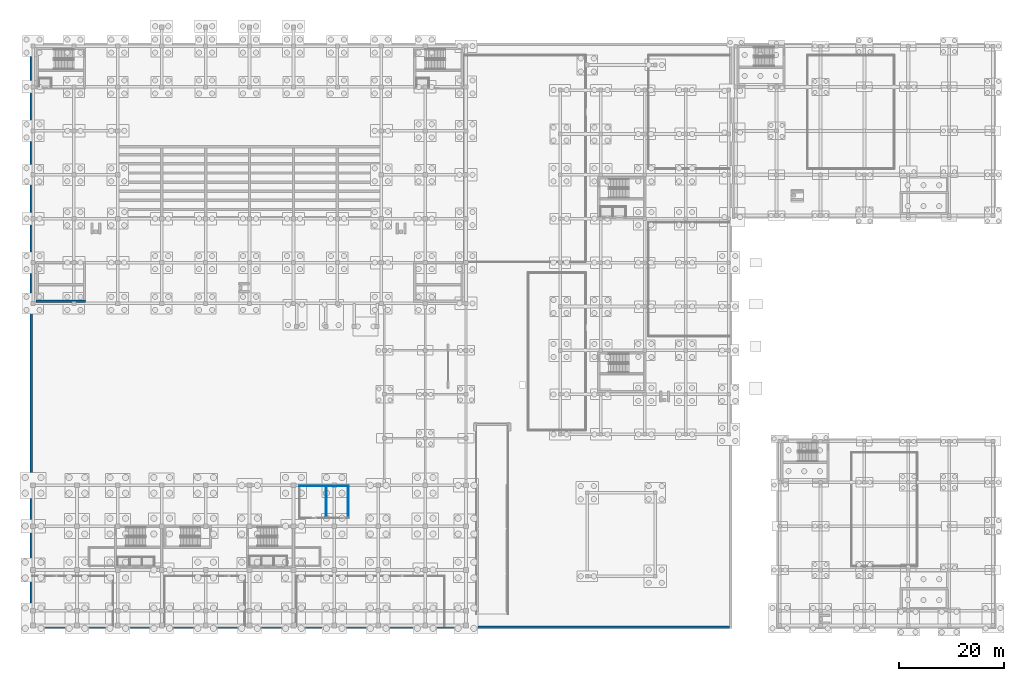
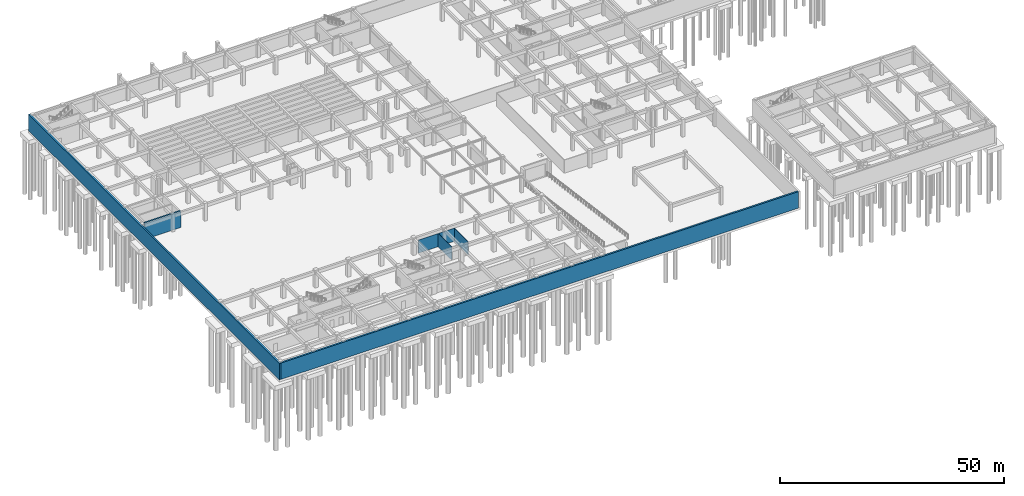
# One storey, part 17 of 35: 7 walls.
"""IFC4 building model written with IfcOpenShell, lengths in metres."""

from ifc_helpers import new_model, si_unit, direction, frame, frame_2d, origin, place, context, subcontext, project, spatial, rectangle, extrude, material, layer, layer_set, type_object, element, save


model = new_model("IFC4")

# Units and contexts
model_context = context("Model", 3, precision=1e-05, world=origin(), true_north=direction((0.0, 1.0)))
body_context = subcontext(model_context, "Body", "Model", "MODEL_VIEW")
ifc_project = project(units=[si_unit("LENGTHUNIT", "METRE"), si_unit("AREAUNIT", "SQUARE_METRE"), si_unit("VOLUMEUNIT", "CUBIC_METRE"), si_unit("PLANEANGLEUNIT", "RADIAN"), si_unit("MASSUNIT", "GRAM", prefix="KILO")], contexts=[model_context])

# Site, building, storey
site_placement = place(None, origin())
site = spatial("IfcSite", under=ifc_project, at=site_placement, CompositionType="ELEMENT")
building_placement = place(site_placement, origin())
building = spatial("IfcBuilding", under=site, at=building_placement, Name="Zayran Congress Hotel", CompositionType="ELEMENT")
storey_placement = place(building_placement, frame((0.0, 0.0, -4.800048828125)))
storey = spatial("IfcBuildingStorey", under=building, at=storey_placement, Name="B1", CompositionType="ELEMENT", Elevation=-4.800048828125)

# Walls
ifc_material_1 = material(Name="Concrete C32/40", Category="concrete")
ifc_layer_1 = layer(ifc_material_1, 0.449951171875)
ifc_layer_set_1 = layer_set([ifc_layer_1], Name="Concrete C32/40")
wall_type_1 = type_object("IfcWallType", Name="WL-RT-450", PredefinedType="USERDEFINED", material=ifc_layer_set_1)
wall_1_placement = place(storey_placement, frame((142.199951171875, 6.22509765625, 0.0), z_axis=(0.0, 0.0, 1.0), x_axis=(-1.0, 0.0, 0.0)))
element("IfcWall", 1, at=wall_1_placement, inside=storey, type_object=wall_type_1, Name="B1-RW-S", ObjectType="RETAININGWALL", PredefinedType="USERDEFINED", context=body_context, shape_type="SweptSolid", body=[
    extrude(rectangle(XDim=133.349853515625, YDim=0.449951171875, at=frame_2d((66.6748046875, 0.0))), origin(), (0.0, 0.0, 1.0), 4.47998046875),
])
wall_2_placement = place(storey_placement, frame((8.625, 6.0, 0.0), z_axis=(0.0, 0.0, 1.0), x_axis=(0.0, 1.0, 0.0)))
element("IfcWall", 2, at=wall_2_placement, inside=storey, type_object=wall_type_1, Name="B1-RW-W", ObjectType="RETAININGWALL", PredefinedType="USERDEFINED", context=body_context, shape_type="SweptSolid", body=[
    extrude(rectangle(XDim=112.0, YDim=0.449951171875, at=frame_2d((56.0, 0.0))), origin(), (0.0, 0.0, 1.0), 4.47998046875),
])
ifc_material_2 = material(Name="Concrete C40/50", Category="concrete")
ifc_layer_2 = layer(ifc_material_2, 0.39990234375)
ifc_layer_set_2 = layer_set([ifc_layer_2], Name="Concrete C40/50")
wall_type_2 = type_object("IfcWallType", Name="WL-SH-400", PredefinedType="SHEAR", material=ifc_layer_set_2)
wall_3_placement = place(storey_placement, frame((9.60009765625, 68.60009765625, 0.0), z_axis=(0.0, 0.0, 1.0), x_axis=(1.0, 0.0, 0.0)))
element("IfcWall", 3, at=wall_3_placement, inside=storey, type_object=wall_type_2, Name="CWALL-C-V1S-B1-S", PredefinedType="SHEAR", context=body_context, shape_type="SweptSolid", body=[
    extrude(rectangle(XDim=9.39990234375, YDim=0.39990234375, at=frame_2d((4.699951171875, 0.0))), origin(), (0.0, 0.0, 1.0), 4.47998046875),
])
ifc_material_3 = material(Name="Moisture-resistant bathroom partition", Category="gypsum")
ifc_layer_3 = layer(ifc_material_3, 0.1201171875)
ifc_layer_set_3 = layer_set([ifc_layer_3], Name="Moisture-resistant bathroom partition")
wall_type_3 = type_object("IfcWallType", Name="WL-PT-120", PredefinedType="PARTITIONING", material=ifc_layer_set_3)
wall_4_placement = place(storey_placement, frame((59.919921875, 33.27001953125, 0.0), z_axis=(0.0, 0.0, 1.0), x_axis=(1.0, 0.0, 0.0)))
element("IfcWall", 4, at=wall_4_placement, inside=storey, type_object=wall_type_3, Name="IW-B1-1537", PredefinedType="PARTITIONING", context=body_context, shape_type="SweptSolid", body=[
    extrude(rectangle(XDim=5.16015625, YDim=0.1201171875, at=frame_2d((2.580078125, 0.0))), origin(), (0.0, 0.0, 1.0), 3.580078125),
])
wall_5_placement = place(storey_placement, frame((65.070068359375, 27.1201171875, 0.0), z_axis=(0.0, 0.0, 1.0), x_axis=(0.0, 1.0, 0.0)))
element("IfcWall", 5, at=wall_5_placement, inside=storey, type_object=wall_type_3, Name="IW-B1-1539", PredefinedType="PARTITIONING", context=body_context, shape_type="SweptSolid", body=[
    extrude(rectangle(XDim=6.159912109375, YDim=0.1201171875, at=frame_2d((3.080078125, 0.0))), origin(), (0.0, 0.0, 1.0), 3.580078125),
])
wall_6_placement = place(storey_placement, frame((65.1201171875, 33.27001953125, 0.0), z_axis=(0.0, 0.0, 1.0), x_axis=(1.0, 0.0, 0.0)))
element("IfcWall", 6, at=wall_6_placement, inside=storey, type_object=wall_type_3, Name="IW-B1-1540", PredefinedType="PARTITIONING", context=body_context, shape_type="SweptSolid", body=[
    extrude(rectangle(XDim=4.159912109375, YDim=0.1201171875, at=frame_2d((2.080078125, 0.0))), origin(), (0.0, 0.0, 1.0), 3.580078125),
])
wall_7_placement = place(storey_placement, frame((69.27001953125, 27.1201171875, 0.0), z_axis=(0.0, 0.0, 1.0), x_axis=(0.0, 1.0, 0.0)))
element("IfcWall", 7, at=wall_7_placement, inside=storey, type_object=wall_type_3, Name="IW-B1-1541", PredefinedType="PARTITIONING", context=body_context, shape_type="SweptSolid", body=[
    extrude(rectangle(XDim=6.159912109375, YDim=0.1201171875, at=frame_2d((3.080078125, 0.0))), origin(), (0.0, 0.0, 1.0), 3.580078125),
])

save(model, "model.ifc")
